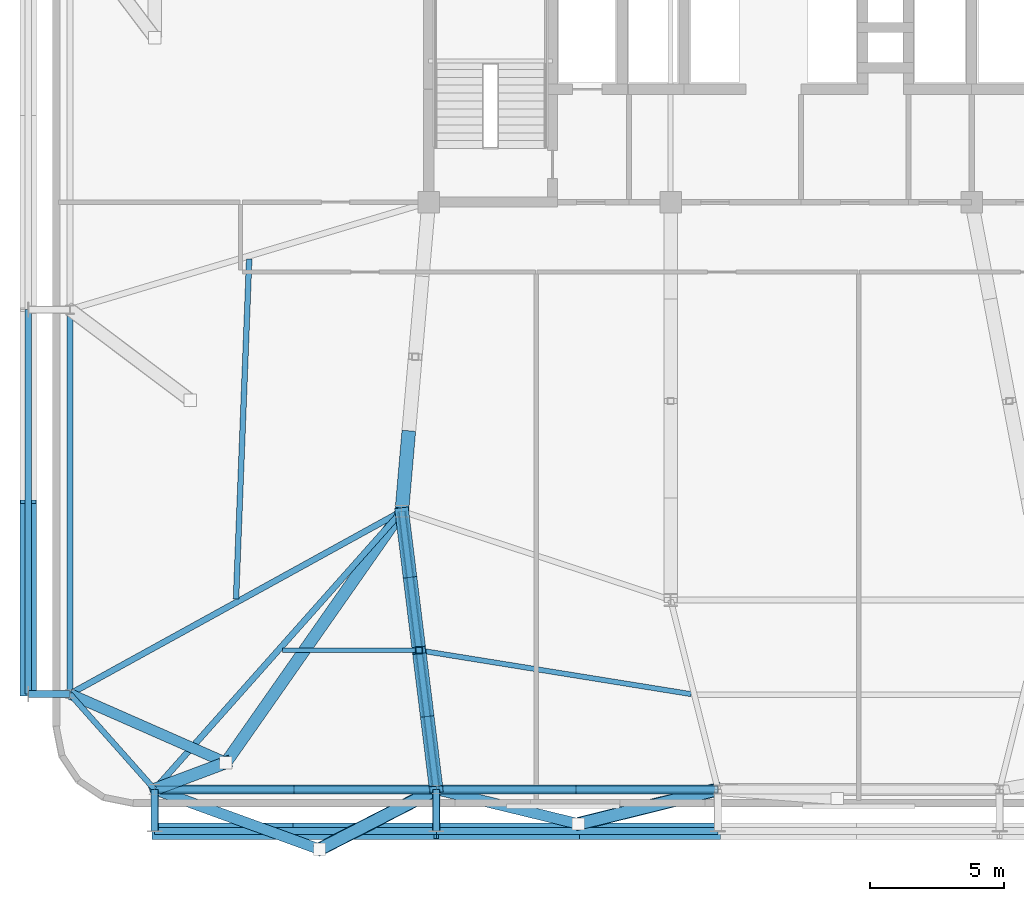
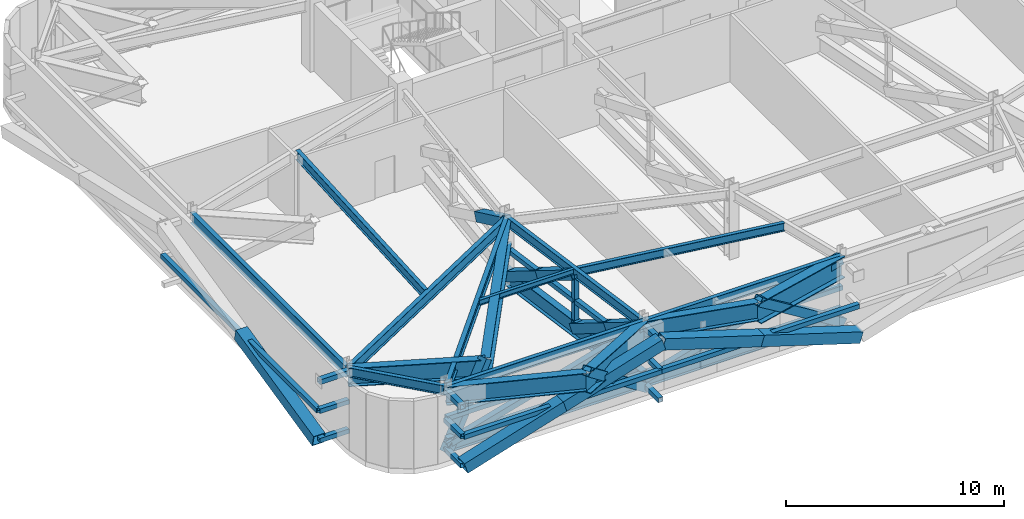
# One storey, part 5 of 24: 37 members, 16 beams.
"""IFC4 building model written with IfcOpenShell, lengths in metres."""

from ifc_helpers import new_model, si_unit, direction, frame, origin, origin_2d, place, context, subcontext, project, spatial, hollow_rectangle, i_section, extrude, source, transform, mapped, material, material_profile, profile_set, type_object, element, save


model = new_model("IFC4")

# Units and contexts
model_context = context("Model", 3, precision=1e-05, world=origin(), true_north=direction((0.0, 1.0)))
body_context = subcontext(model_context, "Body", "Model", "MODEL_VIEW")
ifc_project = project(units=[si_unit("LENGTHUNIT", "METRE"), si_unit("AREAUNIT", "SQUARE_METRE"), si_unit("VOLUMEUNIT", "CUBIC_METRE"), si_unit("PLANEANGLEUNIT", "RADIAN"), si_unit("MASSUNIT", "GRAM", prefix="KILO")], contexts=[model_context])

# Site, building, storey
site_placement = place(None, origin())
site = spatial("IfcSite", under=ifc_project, at=site_placement, CompositionType="ELEMENT")
building_placement = place(site_placement, origin())
building = spatial("IfcBuilding", under=site, at=building_placement, Name="Taldren Reach Tower", CompositionType="ELEMENT")
storey_placement = place(building_placement, frame((0.0, 0.0, 60.89990234375)))
storey = spatial("IfcBuildingStorey", under=building, at=storey_placement, Name="L18", CompositionType="ELEMENT", Elevation=60.89990234375)

# Beams
ifc_material_1 = material(Name="Steel Gr 350 (350PLUS)", Category="steel")
ifc_material_profile_1 = material_profile(ifc_material_1, i_section(OverallWidth=0.208984375, OverallDepth=0.528076171875, WebThickness=0.009521484375, FlangeThickness=0.01318359375, at=origin_2d()), Name="530UB82.0")
ifc_profile_set_1 = profile_set([ifc_material_profile_1], Name="Steel Gr 350 (350PLUS)")
beam_type_1 = type_object("IfcBeamType", Name="SP-UB530B", PredefinedType="SPANDREL", material=ifc_profile_set_1)
shared_shape_1 = source(origin(), body_context, "Body", "SweptSolid", [
    extrude(i_section(OverallWidth=0.208984375, OverallDepth=0.528076171875, WebThickness=0.009521484375, FlangeThickness=0.01318359375, at=origin_2d()), origin(), (0.0, 0.0, 1.0), 10.47998046875),
])
for number, where, z_axis, x_axis, name in (
    (1, (8.800048828125, 2.14990234375, 3.51611328125), (1.0, 0.0, 0.0), (0.0, 1.0, 0.0), "Perimeter spandrel B1 S1-S2 L18"),
    (2, (19.280029296875, 2.14990234375, 3.51611328125), (1.0, 0.0, 0.0), (0.0, 1.0, 0.0), "Perimeter spandrel B1 S2-S3 L18"),
):
    element("IfcBeam", number, at=place(storey_placement, frame(where, z_axis=z_axis, x_axis=x_axis)), inside=storey, type_object=beam_type_1, Name=name, PredefinedType="SPANDREL", context=body_context, shape_type="MappedRepresentation", body=[
        mapped(shared_shape_1, transform((0.0, 0.0, 0.0), scale=1.0)),
    ])
shared_shape_2 = source(origin(), body_context, "Body", "SweptSolid", [
    extrude(i_section(OverallWidth=0.208984375, OverallDepth=0.528076171875, WebThickness=0.009521484375, FlangeThickness=0.01318359375, at=origin_2d()), origin(), (0.0, 0.0, 1.0), 4.74609375),
])
beam_1_placement = place(storey_placement, frame((5.64990234375, 5.699951171875, 3.51611328125), z_axis=(0.663721843779, -0.747979487747, 0.0), x_axis=(0.747979487747, 0.663721843779, 0.0)))
element("IfcBeam", 3, at=beam_1_placement, inside=storey, type_object=beam_type_1, Name="Perimeter spandrel B1 W1-S1 L18", PredefinedType="SPANDREL", context=body_context, shape_type="MappedRepresentation", body=[
    mapped(shared_shape_2, transform((0.0, 0.0, 0.0), scale=1.0)),
])
ifc_material_profile_2 = material_profile(ifc_material_1, i_section(OverallWidth=0.22802734375, OverallDepth=0.60205078125, WebThickness=0.010498046875, FlangeThickness=0.014892578125, at=origin_2d()), Name="610UB101")
ifc_profile_set_2 = profile_set([ifc_material_profile_2], Name="Steel Gr 350 (350PLUS)")
beam_type_2 = type_object("IfcBeamType", Name="BM-UB610B", PredefinedType="BEAM", material=ifc_profile_set_2)
shared_shape_3 = source(origin(), body_context, "Body", "SweptSolid", [
    extrude(i_section(OverallWidth=0.22802734375, OverallDepth=0.60205078125, WebThickness=0.010498046875, FlangeThickness=0.014892578125, at=origin_2d()), origin(), (0.0, 0.0, 1.0), 14.300048828125),
])
beam_2_placement = place(storey_placement, frame((5.64990234375, 20.0, 3.47900390625), z_axis=(0.0, -1.0, 0.0), x_axis=(1.0, 0.0, 0.0)))
element("IfcBeam", 4, at=beam_2_placement, inside=storey, type_object=beam_type_2, Name="Perimeter gable girder B1 W2-W1 L18", PredefinedType="BEAM", context=body_context, shape_type="MappedRepresentation", body=[
    mapped(shared_shape_3, transform((0.0, 0.0, 0.0), scale=1.0)),
])
shared_shape_4 = source(origin(), body_context, "Body", "SweptSolid", [
    extrude(i_section(OverallWidth=0.22802734375, OverallDepth=0.60205078125, WebThickness=0.010498046875, FlangeThickness=0.014892578125, at=origin_2d()), origin(), (0.0, 0.0, 1.0), 13.847900390625),
])
beam_3_placement = place(storey_placement, frame((18.0, 12.5, 3.47900390625), z_axis=(-0.664358367375, -0.747414182164, 0.0), x_axis=(0.747414182164, -0.664358367375, 0.0)))
element("IfcBeam", 5, at=beam_3_placement, inside=storey, type_object=beam_type_2, Name="Primary floor girder B1-S1 L18", PredefinedType="BEAM", context=body_context, shape_type="MappedRepresentation", body=[
    mapped(shared_shape_4, transform((0.0, 0.0, 0.0), scale=1.0)),
])
ifc_material_profile_3 = material_profile(ifc_material_1, i_section(OverallWidth=0.208984375, OverallDepth=0.532958984375, WebThickness=0.01025390625, FlangeThickness=0.015625, at=origin_2d()), Name="530UB92.4")
ifc_profile_set_3 = profile_set([ifc_material_profile_3], Name="Steel Gr 350 (350PLUS)")
beam_type_3 = type_object("IfcBeamType", Name="BM-UB530A", PredefinedType="BEAM", material=ifc_profile_set_3)
shared_shape_5 = source(origin(), body_context, "Body", "SweptSolid", [
    extrude(i_section(OverallWidth=0.208984375, OverallDepth=0.532958984375, WebThickness=0.01025390625, FlangeThickness=0.015625, at=origin_2d()), origin(), (0.0, 0.0, 1.0), 10.428955078125),
])
beam_4_placement = place(storey_placement, frame((18.0, 12.5, 3.513671875), z_axis=(0.122738080664, -0.992439098159, 0.0), x_axis=(0.992439098159, 0.122738080664, 0.0)))
element("IfcBeam", 6, at=beam_4_placement, inside=storey, type_object=beam_type_3, Name="Primary floor girder B1-S2 L18", PredefinedType="BEAM", context=body_context, shape_type="MappedRepresentation", body=[
    mapped(shared_shape_5, transform((0.0, 0.0, 0.0), scale=1.0)),
])
shared_shape_6 = source(origin(), body_context, "Body", "SweptSolid", [
    extrude(i_section(OverallWidth=0.22802734375, OverallDepth=0.60205078125, WebThickness=0.010498046875, FlangeThickness=0.014892578125, at=origin_2d()), origin(), (0.0, 0.0, 1.0), 14.098388671875),
])
beam_5_placement = place(storey_placement, frame((18.0, 12.5, 3.47900390625), z_axis=(-0.875991325783, -0.482326857175, 0.0), x_axis=(0.482326857175, -0.875991325783, 0.0)))
element("IfcBeam", 7, at=beam_5_placement, inside=storey, type_object=beam_type_2, Name="Primary floor girder B1-W1 L18", PredefinedType="BEAM", context=body_context, shape_type="MappedRepresentation", body=[
    mapped(shared_shape_6, transform((0.0, 0.0, 0.0), scale=1.0)),
])
ifc_material_2 = material(Name="Steel Gr 300 (300PLUS, 300 MPa)", Category="steel")
ifc_material_profile_4 = material_profile(ifc_material_2, i_section(OverallWidth=0.166015625, OverallDepth=0.306884765625, WebThickness=0.006591796875, FlangeThickness=0.01171875, at=origin_2d()), Name="310UB46.2")
ifc_profile_set_4 = profile_set([ifc_material_profile_4], Name="Steel Gr 300 (300PLUS, 300 MPa)")
beam_type_4 = type_object("IfcBeamType", Name="JS-UB310", PredefinedType="JOIST", material=ifc_profile_set_4)
shared_shape_7 = source(origin(), body_context, "Body", "SweptSolid", [
    extrude(i_section(OverallWidth=0.166015625, OverallDepth=0.306884765625, WebThickness=0.006591796875, FlangeThickness=0.01171875, at=origin_2d()), origin(), (0.0, 0.0, 1.0), 4.982177734375),
])
beam_6_placement = place(storey_placement, frame((13.552490234375, 7.324951171875, 3.626708984375), z_axis=(1.0, 0.0, 0.0), x_axis=(0.0, 1.0, 0.0)))
element("IfcBeam", 8, at=beam_6_placement, inside=storey, type_object=beam_type_4, Name="Secondary floor joist B1 J1 L18", PredefinedType="JOIST", context=body_context, shape_type="MappedRepresentation", body=[
    mapped(shared_shape_7, transform((0.0, 0.0, 0.0), scale=1.0)),
])
ifc_material_profile_5 = material_profile(ifc_material_1, i_section(OverallWidth=0.19091796875, OverallDepth=0.4599609375, WebThickness=0.010009765625, FlangeThickness=0.01611328125, at=origin_2d()), Name="460UB82.1")
ifc_profile_set_5 = profile_set([ifc_material_profile_5], Name="Steel Gr 350 (350PLUS)")
beam_type_5 = type_object("IfcBeamType", Name="BM-UB460A", PredefinedType="BEAM", material=ifc_profile_set_5)
shared_shape_8 = source(origin(), body_context, "Body", "SweptSolid", [
    extrude(i_section(OverallWidth=0.19091796875, OverallDepth=0.4599609375, WebThickness=0.010009765625, FlangeThickness=0.01611328125, at=origin_2d()), origin(), (0.0, 0.0, 1.0), 10.1494140625),
])
beam_7_placement = place(storey_placement, frame((18.74755859375, 7.3076171875, 3.550048828125), z_axis=(0.987266967452, -0.159072106224, 0.0), x_axis=(0.159072106224, 0.987266967452, 0.0)))
element("IfcBeam", 9, at=beam_7_placement, inside=storey, type_object=beam_type_5, Name="Secondary floor beam B1 J2 L18", PredefinedType="BEAM", context=body_context, shape_type="MappedRepresentation", body=[
    mapped(shared_shape_8, transform((0.0, 0.0, 0.0), scale=1.0)),
])
shared_shape_9 = source(origin(), body_context, "Body", "SweptSolid", [
    extrude(i_section(OverallWidth=0.208984375, OverallDepth=0.532958984375, WebThickness=0.01025390625, FlangeThickness=0.015625, at=origin_2d()), origin(), (0.0, 0.0, 1.0), 12.65625),
])
beam_8_placement = place(storey_placement, frame((11.830078125, 9.23291015625, 3.513671875), z_axis=(0.0387346395, 0.99924953225, 0.0), x_axis=(-0.99924953225, 0.0387346395, 0.0)))
element("IfcBeam", 10, at=beam_8_placement, inside=storey, type_object=beam_type_3, Name="Secondary floor beam B1 J6 L18", PredefinedType="BEAM", context=body_context, shape_type="MappedRepresentation", body=[
    mapped(shared_shape_9, transform((0.0, 0.0, 0.0), scale=1.0)),
])

# Members
ifc_material_3 = material(Name="Steel Gr 450 (C450L0)", Category="steel")
ifc_material_profile_6 = material_profile(ifc_material_3, hollow_rectangle(XDim=0.27490234375, YDim=0.27490234375, WallThickness=0.00927734375, at=origin_2d()), Name="275x275x9.3SHS")
ifc_profile_set_6 = profile_set([ifc_material_profile_6], Name="Steel Gr 450 (C450L0)")
member_type_1 = type_object("IfcMemberType", Name="MB-TIE273", PredefinedType="STRUT", material=ifc_profile_set_6)
shared_shape_10 = source(origin(), body_context, "Body", "SweptSolid", [
    extrude(hollow_rectangle(XDim=0.27490234375, YDim=0.27490234375, WallThickness=0.00927734375, at=origin_2d()), origin(), (0.0, 0.0, 1.0), 1.5498046875),
])
for number, where, z_axis, x_axis, name in (
    (11, (8.800048828125, 2.14990234375, 3.5), (0.0, -1.0, 0.0), (1.0, 0.0, 0.0), "Exoskeleton diaphragm tie strut B1-S1 L18"),
    (12, (19.280029296875, 2.14990234375, 3.5), (0.0, -1.0, 0.0), (1.0, 0.0, 0.0), "Exoskeleton diaphragm tie strut B1-S2 L18"),
    (13, (5.64990234375, 5.699951171875, 3.5), (-1.0, 0.0, 0.0), (0.0, -1.0, 0.0), "Exoskeleton diaphragm tie strut B1-W1 L18"),
):
    element("IfcMember", number, at=place(storey_placement, frame(where, z_axis=z_axis, x_axis=x_axis)), inside=storey, type_object=member_type_1, Name=name, PredefinedType="STRUT", context=body_context, shape_type="MappedRepresentation", body=[
        mapped(shared_shape_10, transform((0.0, 0.0, 0.0), scale=1.0)),
    ])
ifc_material_4 = material(Name="Steel Gr 350 (C350L0)", Category="steel")
ifc_material_profile_7 = material_profile(ifc_material_4, hollow_rectangle(XDim=0.25, YDim=0.25, WallThickness=0.010009765625, at=origin_2d()), Name="250x250x10.0SHS")
ifc_profile_set_7 = profile_set([ifc_material_profile_7], Name="Steel Gr 350 (C350L0)")
member_type_2 = type_object("IfcMemberType", Name="MB-POST250", PredefinedType="POST", material=ifc_profile_set_7)
shared_shape_11 = source(origin(), body_context, "Body", "SweptSolid", [
    extrude(hollow_rectangle(XDim=0.25, YDim=0.25, WallThickness=0.010009765625, at=origin_2d()), origin(), (0.0, 0.0, 1.0), 10.47998046875),
])
for number, where, z_axis, x_axis, name in (
    (14, (8.800048828125, 2.14990234375, 1.955078125), (1.0, 0.0, 0.0), (0.0, 1.0, 0.0), "Belt Truss Transfer Mid Chord S1 L18"),
    (15, (19.280029296875, 2.14990234375, 1.955078125), (1.0, 0.0, 0.0), (0.0, 1.0, 0.0), "Belt Truss Transfer Mid Chord S2 L18"),
    (16, (8.800048828125, 0.60009765625, 1.860107421875), (1.0, 0.0, 0.0), (0.0, 1.0, 0.0), "Exoskeleton mid-height ring chord B1-S1 L18"),
    (17, (19.280029296875, 0.60009765625, 1.860107421875), (1.0, 0.0, 0.0), (0.0, 1.0, 0.0), "Exoskeleton mid-height ring chord B1-S2 L18"),
):
    element("IfcMember", number, at=place(storey_placement, frame(where, z_axis=z_axis, x_axis=x_axis)), inside=storey, type_object=member_type_2, Name=name, PredefinedType="POST", context=body_context, shape_type="MappedRepresentation", body=[
        mapped(shared_shape_11, transform((0.0, 0.0, 0.0), scale=1.0)),
    ])
shared_shape_12 = source(origin(), body_context, "Body", "SweptSolid", [
    extrude(hollow_rectangle(XDim=0.25, YDim=0.25, WallThickness=0.010009765625, at=origin_2d()), origin(), (0.0, 0.0, 1.0), 1.5498046875),
])
for number, where, z_axis, x_axis, name in (
    (18, (8.800048828125, 2.14990234375, 0.22021484375), (0.0, -1.0, 0.0), (1.0, 0.0, 0.0), "Exoskeleton base diaphragm tie strut B1-S1 L18"),
    (19, (19.280029296875, 2.14990234375, 0.22021484375), (0.0, -1.0, 0.0), (1.0, 0.0, 0.0), "Exoskeleton base diaphragm tie strut B1-S2 L18"),
    (20, (5.64990234375, 5.699951171875, 0.22021484375), (-1.0, 0.0, 0.0), (0.0, -1.0, 0.0), "Exoskeleton base diaphragm tie strut B1-W1 L18"),
    (21, (8.800048828125, 2.14990234375, 1.860107421875), (0.0, -1.0, 0.0), (1.0, 0.0, 0.0), "Exoskeleton mid-tier diaphragm tie B1-S1 L18"),
    (22, (19.280029296875, 2.14990234375, 1.860107421875), (0.0, -1.0, 0.0), (1.0, 0.0, 0.0), "Exoskeleton mid-tier diaphragm tie B1-S2 L18"),
    (23, (5.64990234375, 5.699951171875, 1.860107421875), (-1.0, 0.0, 0.0), (0.0, -1.0, 0.0), "Exoskeleton mid-tier diaphragm tie B1-W1 L18"),
):
    element("IfcMember", number, at=place(storey_placement, frame(where, z_axis=z_axis, x_axis=x_axis)), inside=storey, type_object=member_type_2, Name=name, PredefinedType="POST", context=body_context, shape_type="MappedRepresentation", body=[
        mapped(shared_shape_12, transform((0.0, 0.0, 0.0), scale=1.0)),
    ])
shared_shape_13 = source(origin(), body_context, "Body", "SweptSolid", [
    extrude(hollow_rectangle(XDim=0.25, YDim=0.25, WallThickness=0.010009765625, at=origin_2d()), origin(), (0.0, 0.0, 1.0), 14.300048828125),
])
member_1_placement = place(storey_placement, frame((4.10009765625, 5.699951171875, 1.860107421875), z_axis=(0.0, 1.0, 0.0), x_axis=(-1.0, 0.0, 0.0)))
element("IfcMember", 24, at=member_1_placement, inside=storey, type_object=member_type_2, Name="Exoskeleton mid-height ring chord B1-W1 L18", PredefinedType="POST", context=body_context, shape_type="MappedRepresentation", body=[
    mapped(shared_shape_13, transform((0.0, 0.0, 0.0), scale=1.0)),
])
ifc_material_profile_8 = material_profile(ifc_material_3, hollow_rectangle(XDim=0.4599609375, YDim=0.4599609375, WallThickness=0.01611328125, at=origin_2d()), Name="460x460x16.0SHS")
ifc_profile_set_8 = profile_set([ifc_material_profile_8], Name="Steel Gr 450 (C450L0)")
member_type_3 = type_object("IfcMemberType", Name="MB-EXO457", PredefinedType="BRACE", material=ifc_profile_set_8)
shared_shape_14 = source(origin(), body_context, "Body", "SweptSolid", [
    extrude(hollow_rectangle(XDim=0.4599609375, YDim=0.4599609375, WallThickness=0.01611328125, at=origin_2d()), origin(), (0.0, 0.0, 1.0), 6.1640625),
])
member_2_placement = place(storey_placement, frame((19.280029296875, 2.14990234375, 0.02001953125), z_axis=(-0.705036771625, -0.361726916199, 0.609980974091), x_axis=(0.45648609956, -0.88973054399, 0.0)))
element("IfcMember", 25, at=member_2_placement, inside=storey, type_object=member_type_3, Name="Outrigger Belt Truss Transfer Strut TS-B2-S1 L18", PredefinedType="BRACE", context=body_context, shape_type="MappedRepresentation", body=[
    mapped(shared_shape_14, transform((0.0, 0.0, 0.0), scale=1.0)),
])

# Beams
ifc_material_profile_9 = material_profile(ifc_material_1, i_section(OverallWidth=0.5, OverallDepth=1.199951171875, WebThickness=0.01611328125, FlangeThickness=0.0400390625, at=origin_2d()), Name="1200WB455")
ifc_profile_set_9 = profile_set([ifc_material_profile_9], Name="Steel Gr 350 (350PLUS)")
beam_type_6 = type_object("IfcBeamType", Name="BM-WB1200", PredefinedType="BEAM", material=ifc_profile_set_9)
shared_shape_15 = source(origin(), body_context, "Body", "SweptSolid", [
    extrude(i_section(OverallWidth=0.5, OverallDepth=1.199951171875, WebThickness=0.01611328125, FlangeThickness=0.0400390625, at=origin_2d()), origin(), (0.0, 0.0, 1.0), 4.884521484375),
])
beam_9_placement = place(storey_placement, frame((19.280029296875, 2.14990234375, 3.18017578125), z_axis=(-0.88973054399, -0.45648609956, 0.0), x_axis=(0.45648609956, -0.88973054399, 0.0)))
element("IfcBeam", 26, at=beam_9_placement, inside=storey, type_object=beam_type_6, Name="Belt Truss Transfer Girder TG-B2-S1A on L18", PredefinedType="BEAM", context=body_context, shape_type="MappedRepresentation", body=[
    mapped(shared_shape_15, transform((0.0, 0.0, 0.0), scale=1.0)),
])
ifc_material_profile_10 = material_profile(ifc_material_1, i_section(OverallWidth=0.39990234375, OverallDepth=1.02392578125, WebThickness=0.01611328125, FlangeThickness=0.031982421875, at=origin_2d()), Name="1000WB322")
ifc_profile_set_10 = profile_set([ifc_material_profile_10], Name="Steel Gr 350 (350PLUS)")
beam_type_7 = type_object("IfcBeamType", Name="BM-WB1000", PredefinedType="BEAM", material=ifc_profile_set_10)
shared_shape_16 = source(origin(), body_context, "Body", "SweptSolid", [
    extrude(i_section(OverallWidth=0.39990234375, OverallDepth=1.02392578125, WebThickness=0.01611328125, FlangeThickness=0.031982421875, at=origin_2d()), origin(), (0.0, 0.0, 1.0), 6.526611328125),
])
beam_10_placement = place(storey_placement, frame((8.800048828125, 2.14990234375, 3.26806640625), z_axis=(0.939833826667, -0.341631933889, 0.0), x_axis=(0.341631933889, 0.939833826667, 0.0)))
element("IfcBeam", 27, at=beam_10_placement, inside=storey, type_object=beam_type_7, Name="Belt Truss Transfer Tie Girder TG-B2-S1B on L18", PredefinedType="BEAM", context=body_context, shape_type="MappedRepresentation", body=[
    mapped(shared_shape_16, transform((0.0, 0.0, 0.0), scale=1.0)),
])

# Member
shared_shape_17 = source(origin(), body_context, "Body", "SweptSolid", [
    extrude(hollow_rectangle(XDim=0.4599609375, YDim=0.4599609375, WallThickness=0.01611328125, at=origin_2d()), origin(), (0.0, 0.0, 1.0), 6.5380859375),
])
member_3_placement = place(storey_placement, frame((29.760009765625, 2.14990234375, 0.02001953125), z_axis=(-0.794127790194, -0.196562217877, 0.575086382507), x_axis=(0.240268883717, -0.970706373481, 0.0)))
element("IfcMember", 28, at=member_3_placement, inside=storey, type_object=member_type_3, Name="Outrigger Belt Truss Transfer Strut TS-B2-S2 L18", PredefinedType="BRACE", context=body_context, shape_type="MappedRepresentation", body=[
    mapped(shared_shape_17, transform((0.0, 0.0, 0.0), scale=1.0)),
])

# Beams
shared_shape_18 = source(origin(), body_context, "Body", "SweptSolid", [
    extrude(i_section(OverallWidth=0.5, OverallDepth=1.199951171875, WebThickness=0.01611328125, FlangeThickness=0.0400390625, at=origin_2d()), origin(), (0.0, 0.0, 1.0), 5.348876953125),
])
beam_11_placement = place(storey_placement, frame((29.760009765625, 2.14990234375, 3.18017578125), z_axis=(-0.970706373481, -0.240268883717, 0.0), x_axis=(0.240268883717, -0.970706373481, 0.0)))
element("IfcBeam", 29, at=beam_11_placement, inside=storey, type_object=beam_type_6, Name="Belt Truss Transfer Girder TG-B2-S2A on L18", PredefinedType="BEAM", context=body_context, shape_type="MappedRepresentation", body=[
    mapped(shared_shape_18, transform((0.0, 0.0, 0.0), scale=1.0)),
])
shared_shape_19 = source(origin(), body_context, "Body", "SweptSolid", [
    extrude(i_section(OverallWidth=0.39990234375, OverallDepth=1.02392578125, WebThickness=0.01611328125, FlangeThickness=0.031982421875, at=origin_2d()), origin(), (0.0, 0.0, 1.0), 5.44189453125),
])
beam_12_placement = place(storey_placement, frame((19.280029296875, 2.14990234375, 3.26806640625), z_axis=(0.971712975404, -0.236164970798, 0.0), x_axis=(0.236164970798, 0.971712975404, 0.0)))
element("IfcBeam", 30, at=beam_12_placement, inside=storey, type_object=beam_type_7, Name="Belt Truss Transfer Tie Girder TG-B2-S2B on L18", PredefinedType="BEAM", context=body_context, shape_type="MappedRepresentation", body=[
    mapped(shared_shape_19, transform((0.0, 0.0, 0.0), scale=1.0)),
])

# Member
shared_shape_20 = source(origin(), body_context, "Body", "SweptSolid", [
    extrude(hollow_rectangle(XDim=0.4599609375, YDim=0.4599609375, WallThickness=0.01611328125, at=origin_2d()), origin(), (0.0, 0.0, 1.0), 4.708251953125),
])
member_4_placement = place(storey_placement, frame((8.800048828125, 2.14990234375, 0.02001953125), z_axis=(0.563452352626, 0.21151501439, 0.798613075906), x_axis=(-0.351444453473, 0.936208735338, 0.0)))
element("IfcMember", 31, at=member_4_placement, inside=storey, type_object=member_type_3, Name="Outrigger Belt Truss Transfer Strut TS-B2-W1 L18", PredefinedType="BRACE", context=body_context, shape_type="MappedRepresentation", body=[
    mapped(shared_shape_20, transform((0.0, 0.0, 0.0), scale=1.0)),
])

# Beams
ifc_material_profile_11 = material_profile(ifc_material_1, i_section(OverallWidth=0.449951171875, OverallDepth=1.5, WebThickness=0.02001953125, FlangeThickness=0.0439453125, at=origin_2d()), Name="1500WB550")
ifc_profile_set_11 = profile_set([ifc_material_profile_11], Name="Steel Gr 350 (350PLUS)")
beam_type_8 = type_object("IfcBeamType", Name="BM-PG1500", PredefinedType="BEAM", material=ifc_profile_set_11)
shared_shape_21 = source(origin(), body_context, "Body", "SweptSolid", [
    extrude(i_section(OverallWidth=0.449951171875, OverallDepth=1.5, WebThickness=0.02001953125, FlangeThickness=0.0439453125, at=origin_2d()), origin(), (0.0, 0.0, 1.0), 11.417724609375),
])
beam_13_placement = place(storey_placement, frame((18.0, 12.5, 3.030029296875), z_axis=(-0.573412116146, -0.819267077977, 0.0), x_axis=(0.819267077977, -0.573412116146, 0.0)))
element("IfcBeam", 32, at=beam_13_placement, inside=storey, type_object=beam_type_8, Name="Belt Truss Transfer Girder TG-B2-W1A on L18", PredefinedType="BEAM", context=body_context, shape_type="MappedRepresentation", body=[
    mapped(shared_shape_21, transform((0.0, 0.0, 0.0), scale=1.0)),
])
shared_shape_22 = source(origin(), body_context, "Body", "SweptSolid", [
    extrude(i_section(OverallWidth=0.39990234375, OverallDepth=1.02392578125, WebThickness=0.01611328125, FlangeThickness=0.031982421875, at=origin_2d()), origin(), (0.0, 0.0, 1.0), 6.34033203125),
])
beam_14_placement = place(storey_placement, frame((5.64990234375, 5.699951171875, 3.26806640625), z_axis=(0.915263355847, -0.402856040594, 0.0), x_axis=(0.402856040594, 0.915263355847, 0.0)))
element("IfcBeam", 33, at=beam_14_placement, inside=storey, type_object=beam_type_7, Name="Belt Truss Transfer Tie Girder TG-B2-W1B on L18", PredefinedType="BEAM", context=body_context, shape_type="MappedRepresentation", body=[
    mapped(shared_shape_22, transform((0.0, 0.0, 0.0), scale=1.0)),
])

# Members
shared_shape_23 = source(origin(), body_context, "Body", "SweptSolid", [
    extrude(hollow_rectangle(XDim=0.25, YDim=0.25, WallThickness=0.010009765625, at=origin_2d()), origin(), (0.0, 0.0, 1.0), 1.5048828125),
])
member_5_placement = place(storey_placement, frame((18.639892578125, 7.324951171875, 0.4501953125), z_axis=(0.0, 0.0, 1.0), x_axis=(1.0, 0.0, 0.0)))
element("IfcMember", 34, at=member_5_placement, inside=storey, type_object=member_type_2, Name="Outrigger Transfer Truss Vertical Post OT-W2 L18", PredefinedType="POST", context=body_context, shape_type="MappedRepresentation", body=[
    mapped(shared_shape_23, transform((0.0, 0.0, 0.0), scale=1.0)),
])
shared_shape_24 = source(origin(), body_context, "Body", "SweptSolid", [
    extrude(hollow_rectangle(XDim=0.25, YDim=0.25, WallThickness=0.010009765625, at=origin_2d()), origin(), (0.0, 0.0, 1.0), 1.505126953125),
])
member_6_placement = place(storey_placement, frame((18.639892578125, 7.324951171875, 1.955078125), z_axis=(0.0, 0.0, 1.0), x_axis=(1.0, 0.0, 0.0)))
element("IfcMember", 35, at=member_6_placement, inside=storey, type_object=member_type_2, Name="Outrigger Transfer Truss Vertical Post OT-W2 L18", PredefinedType="POST", context=body_context, shape_type="MappedRepresentation", body=[
    mapped(shared_shape_24, transform((0.0, 0.0, 0.0), scale=1.0)),
])
ifc_material_profile_12 = material_profile(ifc_material_3, hollow_rectangle(XDim=0.510009765625, YDim=0.510009765625, WallThickness=0.02001953125, at=origin_2d()), Name="510x510x20.0SHS")
ifc_profile_set_12 = profile_set([ifc_material_profile_12], Name="Steel Gr 450 (C450L0)")
member_type_4 = type_object("IfcMemberType", Name="MB-EXO508", PredefinedType="BRACE", material=ifc_profile_set_12)
shared_shape_25 = source(origin(), body_context, "Body", "SweptSolid", [
    extrude(hollow_rectangle(XDim=0.510009765625, YDim=0.510009765625, WallThickness=0.02001953125, at=origin_2d()), origin(), (0.0, 0.0, 1.0), 3.2548828125),
])
member_7_placement = place(storey_placement, frame((18.25, 15.375, 1.955078125), z_axis=(-0.076810327051, -0.883318761082, 0.462437174089), x_axis=(0.996240588196, -0.086629616365, 0.0)))
element("IfcMember", 36, at=member_7_placement, inside=storey, type_object=member_type_4, Name="Outrigger Transfer Truss Diagonal OT-W1B L18", PredefinedType="BRACE", context=body_context, shape_type="MappedRepresentation", body=[
    mapped(shared_shape_25, transform((0.0, 0.0, 0.0), scale=1.0)),
])
ifc_material_profile_13 = material_profile(ifc_material_1, i_section(OverallWidth=0.35009765625, OverallDepth=0.916015625, WebThickness=0.013916015625, FlangeThickness=0.028076171875, at=origin_2d()), Name="900WB257")
ifc_profile_set_13 = profile_set([ifc_material_profile_13], Name="Steel Gr 350 (350PLUS)")
member_type_5 = type_object("IfcMemberType", Name="MB-CH900", PredefinedType="CHORD", material=ifc_profile_set_13)
shared_shape_26 = source(origin(), body_context, "Body", "SweptSolid", [
    extrude(i_section(OverallWidth=0.35009765625, OverallDepth=0.916015625, WebThickness=0.013916015625, FlangeThickness=0.028076171875, at=origin_2d()), origin(), (0.0, 0.0, 1.0), 10.428955078125),
])
member_8_placement = place(storey_placement, frame((18.0, 12.5, 0.4501953125), z_axis=(0.122738080664, -0.992439098159, 0.0), x_axis=(0.992439098159, 0.122738080664, 0.0)))
element("IfcMember", 37, at=member_8_placement, inside=storey, type_object=member_type_5, Name="Outrigger Transfer Truss Bottom Chord OT-W2 L18", PredefinedType="CHORD", context=body_context, shape_type="MappedRepresentation", body=[
    mapped(shared_shape_26, transform((0.0, 0.0, 0.0), scale=1.0)),
])
shared_shape_27 = source(origin(), body_context, "Body", "SweptSolid", [
    extrude(hollow_rectangle(XDim=0.25, YDim=0.25, WallThickness=0.010009765625, at=origin_2d()), origin(), (0.0, 0.0, 1.0), 10.428955078125),
])
member_9_placement = place(storey_placement, frame((18.0, 12.5, 1.955078125), z_axis=(0.122738080664, -0.992439098159, 0.0), x_axis=(0.992439098159, 0.122738080664, 0.0)))
element("IfcMember", 38, at=member_9_placement, inside=storey, type_object=member_type_2, Name="Outrigger Transfer Truss Mid Chord OT-W2 L18", PredefinedType="POST", context=body_context, shape_type="MappedRepresentation", body=[
    mapped(shared_shape_27, transform((0.0, 0.0, 0.0), scale=1.0)),
])
shared_shape_28 = source(origin(), body_context, "Body", "SweptSolid", [
    extrude(hollow_rectangle(XDim=0.510009765625, YDim=0.510009765625, WallThickness=0.02001953125, at=origin_2d()), origin(), (0.0, 0.0, 1.0), 3.01025390625),
])
for number, where, z_axis, x_axis, name in (
    (39, (18.0, 12.5, 0.4501953125), (0.106325222442, -0.859523041522, 0.499915080953), (0.992435540703, 0.122766842221, 0.0), "Outrigger Transfer Truss Diagonal OT-W2A L18"),
    (40, (18.639892578125, 7.324951171875, 0.4501953125), (0.106325222442, -0.859523041522, 0.499915080953), (0.992435540703, 0.122766842221, 0.0), "Outrigger Transfer Truss Diagonal OT-W2B L18"),
):
    element("IfcMember", number, at=place(storey_placement, frame(where, z_axis=z_axis, x_axis=x_axis)), inside=storey, type_object=member_type_4, Name=name, PredefinedType="BRACE", context=body_context, shape_type="MappedRepresentation", body=[
        mapped(shared_shape_28, transform((0.0, 0.0, 0.0), scale=1.0)),
    ])
shared_shape_29 = source(origin(), body_context, "Body", "SweptSolid", [
    extrude(hollow_rectangle(XDim=0.510009765625, YDim=0.510009765625, WallThickness=0.02001953125, at=origin_2d()), origin(), (0.0, 0.0, 1.0), 3.010498046875),
])
for number, where, z_axis, x_axis, name in (
    (41, (18.320068359375, 9.91259765625, 1.955078125), (0.106233323021, -0.859516786793, 0.499945371316), (0.992448354991, 0.122663208325, 0.0), "Outrigger Transfer Truss Diagonal OT-W2A L18"),
    (42, (18.9599609375, 4.737548828125, 1.955078125), (0.106313500935, -0.859509379412, 0.499941062749), (0.992436951876, 0.1227554339, 0.0), "Outrigger Transfer Truss Diagonal OT-W2B L18"),
):
    element("IfcMember", number, at=place(storey_placement, frame(where, z_axis=z_axis, x_axis=x_axis)), inside=storey, type_object=member_type_4, Name=name, PredefinedType="BRACE", context=body_context, shape_type="MappedRepresentation", body=[
        mapped(shared_shape_29, transform((0.0, 0.0, 0.0), scale=1.0)),
    ])
ifc_material_profile_14 = material_profile(ifc_material_1, i_section(OverallWidth=0.300048828125, OverallDepth=0.81591796875, WebThickness=0.011962890625, FlangeThickness=0.02392578125, at=origin_2d()), Name="800WB192")
ifc_profile_set_14 = profile_set([ifc_material_profile_14], Name="Steel Gr 350 (350PLUS)")
member_type_6 = type_object("IfcMemberType", Name="MB-CH800", PredefinedType="CHORD", material=ifc_profile_set_14)
shared_shape_30 = source(origin(), body_context, "Body", "SweptSolid", [
    extrude(i_section(OverallWidth=0.300048828125, OverallDepth=0.81591796875, WebThickness=0.011962890625, FlangeThickness=0.02392578125, at=origin_2d()), origin(), (0.0, 0.0, 1.0), 10.47998046875),
])
for number, where, z_axis, x_axis, name in (
    (43, (8.800048828125, 2.14990234375, 0.4501953125), (1.0, 0.0, 0.0), (0.0, 1.0, 0.0), "Belt Truss Transfer Bottom Chord S1 L18"),
    (44, (19.280029296875, 2.14990234375, 0.4501953125), (1.0, 0.0, 0.0), (0.0, 1.0, 0.0), "Belt Truss Transfer Bottom Chord S2 L18"),
):
    element("IfcMember", number, at=place(storey_placement, frame(where, z_axis=z_axis, x_axis=x_axis)), inside=storey, type_object=member_type_6, Name=name, PredefinedType="CHORD", context=body_context, shape_type="MappedRepresentation", body=[
        mapped(shared_shape_30, transform((0.0, 0.0, 0.0), scale=1.0)),
    ])
ifc_material_profile_15 = material_profile(ifc_material_3, hollow_rectangle(XDim=0.324951171875, YDim=0.324951171875, WallThickness=0.0126953125, at=origin_2d()), Name="325x325x12.7SHS")
ifc_profile_set_15 = profile_set([ifc_material_profile_15], Name="Steel Gr 450 (C450L0)")
member_type_7 = type_object("IfcMemberType", Name="MB-BR324", PredefinedType="BRACE", material=ifc_profile_set_15)
shared_shape_31 = source(origin(), body_context, "Body", "SweptSolid", [
    extrude(hollow_rectangle(XDim=0.324951171875, YDim=0.324951171875, WallThickness=0.0126953125, at=origin_2d()), origin(), (0.0, 0.0, 1.0), 5.451904296875),
])
for number, where, z_axis, x_axis, name in (
    (45, (8.800048828125, 2.14990234375, 0.4501953125), (0.96114789944, 0.0, 0.27603390263), (0.0, 1.0, 0.0), "Belt Truss Transfer Diagonal S1 L18"),
    (46, (14.0400390625, 2.14990234375, 1.955078125), (0.961136017712, 0.0, 0.27607527136), (0.0, 1.0, 0.0), "Belt Truss Transfer Diagonal S1 L18"),
    (47, (19.280029296875, 2.14990234375, 0.4501953125), (0.96114789944, 0.0, 0.27603390263), (0.0, 1.0, 0.0), "Belt Truss Transfer Diagonal S2 L18"),
    (48, (24.52001953125, 2.14990234375, 1.955078125), (0.961136017712, 0.0, 0.27607527136), (0.0, 1.0, 0.0), "Belt Truss Transfer Diagonal S2 L18"),
):
    element("IfcMember", number, at=place(storey_placement, frame(where, z_axis=z_axis, x_axis=x_axis)), inside=storey, type_object=member_type_7, Name=name, PredefinedType="BRACE", context=body_context, shape_type="MappedRepresentation", body=[
        mapped(shared_shape_31, transform((0.0, 0.0, 0.0), scale=1.0)),
    ])
ifc_material_profile_16 = material_profile(ifc_material_3, hollow_rectangle(XDim=0.614990234375, YDim=0.614990234375, WallThickness=0.02490234375, at=origin_2d()), Name="615x615x25.0SHS")
ifc_profile_set_16 = profile_set([ifc_material_profile_16], Name="Steel Gr 450 (C450L0)")
member_type_8 = type_object("IfcMemberType", Name="MB-EXO610", PredefinedType="BRACE", material=ifc_profile_set_16)
shared_shape_32 = source(origin(), body_context, "Body", "SweptSolid", [
    extrude(hollow_rectangle(XDim=0.614990234375, YDim=0.614990234375, WallThickness=0.02490234375, at=origin_2d()), origin(), (0.0, 0.0, 1.0), 5.49072265625),
])
for number, where, z_axis, x_axis, name in (
    (49, (8.800048828125, 0.60009765625, 0.22021484375), (0.954355677655, 0.0, 0.298672463626), (0.0, 1.0, 0.0), "Exoskeleton Diagrid Brace B1-S1 L18"),
    (50, (14.0400390625, 0.60009765625, 1.860107421875), (0.954355677655, 0.0, 0.298672463626), (0.0, 1.0, 0.0), "Exoskeleton Diagrid Brace B1-S1 L18"),
    (51, (29.760009765625, 0.60009765625, 0.22021484375), (-0.954355677655, 0.0, 0.298672463626), (0.0, -1.0, 0.0), "Exoskeleton Diagrid Brace B1-S2 L18"),
    (52, (24.52001953125, 0.60009765625, 1.860107421875), (-0.954355677655, 0.0, 0.298672463626), (0.0, -1.0, 0.0), "Exoskeleton Diagrid Brace B1-S2 L18"),
):
    element("IfcMember", number, at=place(storey_placement, frame(where, z_axis=z_axis, x_axis=x_axis)), inside=storey, type_object=member_type_8, Name=name, PredefinedType="BRACE", context=body_context, shape_type="MappedRepresentation", body=[
        mapped(shared_shape_32, transform((0.0, 0.0, 0.0), scale=1.0)),
    ])
shared_shape_33 = source(origin(), body_context, "Body", "SweptSolid", [
    extrude(hollow_rectangle(XDim=0.614990234375, YDim=0.614990234375, WallThickness=0.02490234375, at=origin_2d()), origin(), (0.0, 0.0, 1.0), 7.335693359375),
])
member_10_placement = place(storey_placement, frame((4.10009765625, 5.699951171875, 0.22021484375), z_axis=(0.0, 0.974693203866, 0.22354676991), x_axis=(-1.0, 0.0, 0.0)))
element("IfcMember", 53, at=member_10_placement, inside=storey, type_object=member_type_8, Name="Exoskeleton Diagrid Brace B1-W1 L18", PredefinedType="BRACE", context=body_context, shape_type="MappedRepresentation", body=[
    mapped(shared_shape_33, transform((0.0, 0.0, 0.0), scale=1.0)),
])

save(model, "model.ifc")
